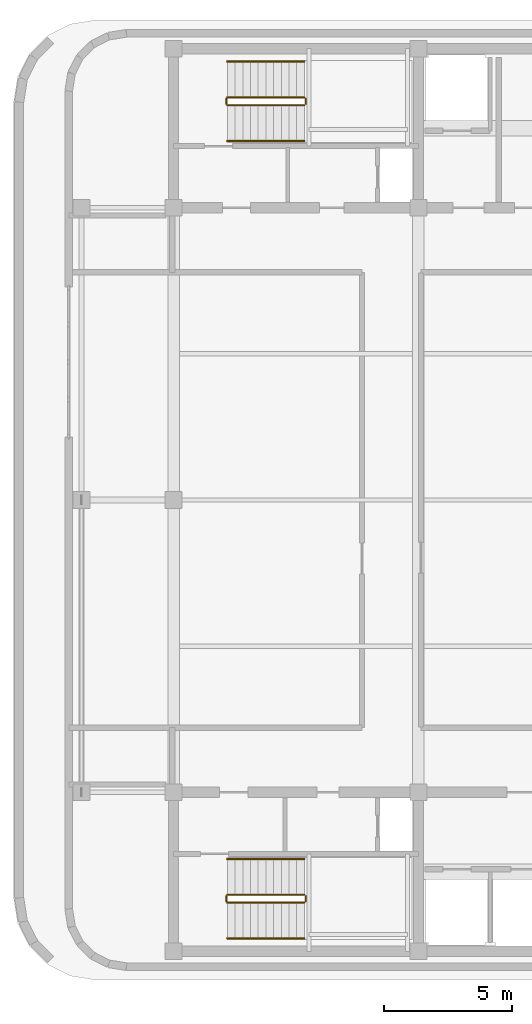
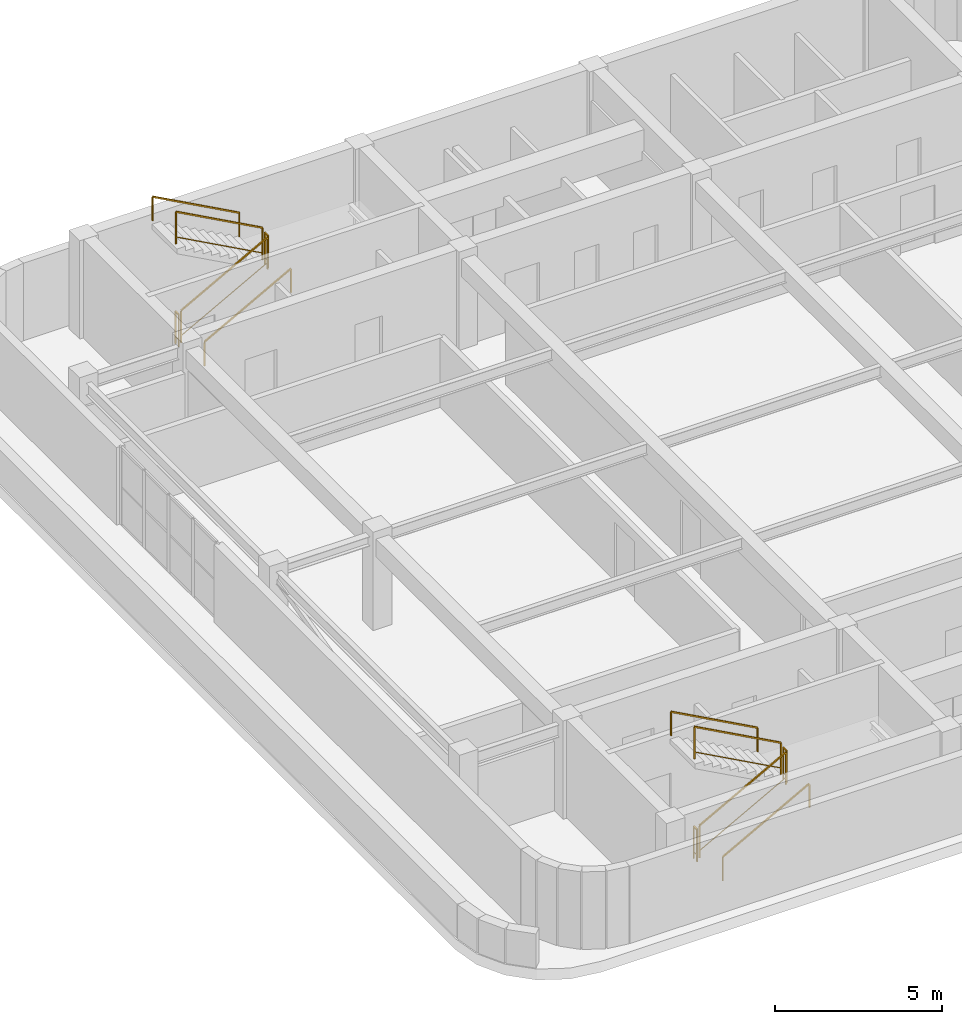
# One storey, part 9 of 9: 12 railings.
"""IFC4 building model written with IfcOpenShell, lengths in metres."""

from ifc_helpers import new_model, si_unit, direction, frame, origin, origin_2d, place, context, subcontext, project, spatial, rectangle, extrude, material, type_object, element, save


model = new_model("IFC4")

# Units and contexts
model_context = context("Model", 3, precision=1e-05, world=origin(), true_north=direction((0.0, 1.0)))
body_context = subcontext(model_context, "Body", "Model", "MODEL_VIEW")
ifc_project = project(units=[si_unit("LENGTHUNIT", "METRE"), si_unit("AREAUNIT", "SQUARE_METRE"), si_unit("VOLUMEUNIT", "CUBIC_METRE"), si_unit("PLANEANGLEUNIT", "RADIAN"), si_unit("MASSUNIT", "GRAM", prefix="KILO")], contexts=[model_context])

# Site, building, storey
site_placement = place(None, origin())
site = spatial("IfcSite", under=ifc_project, at=site_placement, CompositionType="ELEMENT")
building_placement = place(site_placement, origin())
building = spatial("IfcBuilding", under=site, at=building_placement, Name="Svetorya Sky Lyceum", CompositionType="ELEMENT")
storey_placement = place(building_placement, frame((0.0, 0.0, 302.0)))
storey = spatial("IfcBuildingStorey", under=building, at=storey_placement, Name="C01", CompositionType="ELEMENT", Elevation=302.0)

# Railings
ifc_material_1 = material(Name="Painted galvanized stair well guard")
railing_type_1 = type_object("IfcRailingType", Name="RL-STR-GUARD-1200", PredefinedType="GUARDRAIL", material=ifc_material_1)
railing_1_placement = place(storey_placement, frame((27.699951171875, 12.5, 0.16357421875)))
element("IfcRailing", 1, at=railing_1_placement, inside=storey, type_object=railing_type_1, Name="C01 ST-S stair guard 1", PredefinedType="GUARDRAIL", context=body_context, shape_type="SweptSolid", body=[
    extrude(rectangle(XDim=0.048095703125, YDim=0.048095703125, at=origin_2d()), frame((0.0, 0.0, 1.17578125), z_axis=(0.877881921179, 0.0, 0.478877158013), x_axis=(0.0, 1.0, 0.0)), (0.0, 0.0, 1.0), 3.417236328125),
    extrude(rectangle(XDim=0.02392578125, YDim=0.02392578125, at=origin_2d()), frame((0.0, 0.0, 0.25), z_axis=(0.877881921179, 0.0, 0.478877158013), x_axis=(0.0, 1.0, 0.0)), (0.0, 0.0, 1.0), 3.417236328125),
    extrude(rectangle(XDim=0.0419921875, YDim=0.0419921875, at=origin_2d()), origin(), (0.0, 0.0, 1.0), 1.15185546875),
    extrude(rectangle(XDim=0.0419921875, YDim=0.0419921875, at=origin_2d()), frame((3.0, 0.0, 1.636474609375)), (0.0, 0.0, 1.0), 1.15185546875),
])
railing_2_placement = place(storey_placement, frame((30.75, 12.550048828125, 1.800048828125)))
element("IfcRailing", 2, at=railing_2_placement, inside=storey, type_object=railing_type_1, Name="C01 ST-S stair guard 2", PredefinedType="GUARDRAIL", context=body_context, shape_type="SweptSolid", body=[
    extrude(rectangle(XDim=0.048095703125, YDim=0.048095703125, at=origin_2d()), frame((0.0, 0.0, 1.17578125), z_axis=(0.0, 1.0, 0.0), x_axis=(-1.0, 0.0, 0.0)), (0.0, 0.0, 1.0), 0.199951171875),
    extrude(rectangle(XDim=0.02392578125, YDim=0.02392578125, at=origin_2d()), frame((0.0, 0.0, 0.25), z_axis=(0.0, 1.0, 0.0), x_axis=(-1.0, 0.0, 0.0)), (0.0, 0.0, 1.0), 0.199951171875),
    extrude(rectangle(XDim=0.0419921875, YDim=0.0419921875, at=origin_2d()), origin(), (0.0, 0.0, 1.0), 1.15185546875),
    extrude(rectangle(XDim=0.0419921875, YDim=0.0419921875, at=origin_2d()), frame((0.0, 0.199951171875, 0.0)), (0.0, 0.0, 1.0), 1.15185546875),
])
railing_3_placement = place(storey_placement, frame((30.699951171875, 12.800048828125, 1.963623046875)))
element("IfcRailing", 3, at=railing_3_placement, inside=storey, type_object=railing_type_1, Name="C01 ST-S stair guard 3", PredefinedType="GUARDRAIL", context=body_context, shape_type="SweptSolid", body=[
    extrude(rectangle(XDim=0.048095703125, YDim=0.048095703125, at=origin_2d()), frame((0.0, 0.0, 1.17578125), z_axis=(-0.877881921179, 0.0, 0.478877158013), x_axis=(0.0, -1.0, 0.0)), (0.0, 0.0, 1.0), 3.417236328125),
    extrude(rectangle(XDim=0.02392578125, YDim=0.02392578125, at=origin_2d()), frame((0.0, 0.0, 0.25), z_axis=(-0.877881921179, 0.0, 0.478877158013), x_axis=(0.0, -1.0, 0.0)), (0.0, 0.0, 1.0), 3.417236328125),
    extrude(rectangle(XDim=0.0419921875, YDim=0.0419921875, at=origin_2d()), origin(), (0.0, 0.0, 1.0), 1.15185546875),
    extrude(rectangle(XDim=0.0419921875, YDim=0.0419921875, at=origin_2d()), frame((-3.0, 0.0, 1.636474609375)), (0.0, 0.0, 1.0), 1.15185546875),
])
railing_4_placement = place(storey_placement, frame((27.64990234375, 12.550048828125, 0.0)))
element("IfcRailing", 4, at=railing_4_placement, inside=storey, type_object=railing_type_1, Name="C01 ST-S stair guard 4", PredefinedType="GUARDRAIL", context=body_context, shape_type="SweptSolid", body=[
    extrude(rectangle(XDim=0.048095703125, YDim=0.048095703125, at=origin_2d()), frame((0.0, 0.0, 1.17578125), z_axis=(0.0, 1.0, 0.0), x_axis=(-1.0, 0.0, 0.0)), (0.0, 0.0, 1.0), 0.199951171875),
    extrude(rectangle(XDim=0.02392578125, YDim=0.02392578125, at=origin_2d()), frame((0.0, 0.0, 0.25), z_axis=(0.0, 1.0, 0.0), x_axis=(-1.0, 0.0, 0.0)), (0.0, 0.0, 1.0), 0.199951171875),
    extrude(rectangle(XDim=0.0419921875, YDim=0.0419921875, at=origin_2d()), origin(), (0.0, 0.0, 1.0), 1.15185546875),
    extrude(rectangle(XDim=0.0419921875, YDim=0.0419921875, at=origin_2d()), frame((0.0, 0.199951171875, 0.0)), (0.0, 0.0, 1.0), 1.15185546875),
])
railing_5_placement = place(storey_placement, frame((27.699951171875, 43.60009765625, 0.16357421875)))
element("IfcRailing", 5, at=railing_5_placement, inside=storey, type_object=railing_type_1, Name="C01 ST-N stair guard 1", PredefinedType="GUARDRAIL", context=body_context, shape_type="SweptSolid", body=[
    extrude(rectangle(XDim=0.048095703125, YDim=0.048095703125, at=origin_2d()), frame((0.0, 0.0, 1.17578125), z_axis=(0.877881921179, 0.0, 0.478877158013), x_axis=(0.0, 1.0, 0.0)), (0.0, 0.0, 1.0), 3.417236328125),
    extrude(rectangle(XDim=0.02392578125, YDim=0.02392578125, at=origin_2d()), frame((0.0, 0.0, 0.25), z_axis=(0.877881921179, 0.0, 0.478877158013), x_axis=(0.0, 1.0, 0.0)), (0.0, 0.0, 1.0), 3.417236328125),
    extrude(rectangle(XDim=0.0419921875, YDim=0.0419921875, at=origin_2d()), origin(), (0.0, 0.0, 1.0), 1.15185546875),
    extrude(rectangle(XDim=0.0419921875, YDim=0.0419921875, at=origin_2d()), frame((3.0, 0.0, 1.636474609375)), (0.0, 0.0, 1.0), 1.15185546875),
])
railing_6_placement = place(storey_placement, frame((30.75, 43.64990234375, 1.800048828125)))
element("IfcRailing", 6, at=railing_6_placement, inside=storey, type_object=railing_type_1, Name="C01 ST-N stair guard 2", PredefinedType="GUARDRAIL", context=body_context, shape_type="SweptSolid", body=[
    extrude(rectangle(XDim=0.048095703125, YDim=0.048095703125, at=origin_2d()), frame((0.0, 0.0, 1.17578125), z_axis=(0.0, 1.0, 0.0), x_axis=(-1.0, 0.0, 0.0)), (0.0, 0.0, 1.0), 0.2001953125),
    extrude(rectangle(XDim=0.02392578125, YDim=0.02392578125, at=origin_2d()), frame((0.0, 0.0, 0.25), z_axis=(0.0, 1.0, 0.0), x_axis=(-1.0, 0.0, 0.0)), (0.0, 0.0, 1.0), 0.2001953125),
    extrude(rectangle(XDim=0.0419921875, YDim=0.0419921875, at=origin_2d()), origin(), (0.0, 0.0, 1.0), 1.15185546875),
    extrude(rectangle(XDim=0.0419921875, YDim=0.0419921875, at=origin_2d()), frame((0.0, 0.2001953125, 0.0)), (0.0, 0.0, 1.0), 1.15185546875),
])
railing_7_placement = place(storey_placement, frame((30.699951171875, 43.89990234375, 1.963623046875)))
element("IfcRailing", 7, at=railing_7_placement, inside=storey, type_object=railing_type_1, Name="C01 ST-N stair guard 3", PredefinedType="GUARDRAIL", context=body_context, shape_type="SweptSolid", body=[
    extrude(rectangle(XDim=0.048095703125, YDim=0.048095703125, at=origin_2d()), frame((0.0, 0.0, 1.17578125), z_axis=(-0.877881921179, 0.0, 0.478877158013), x_axis=(0.0, -1.0, 0.0)), (0.0, 0.0, 1.0), 3.417236328125),
    extrude(rectangle(XDim=0.02392578125, YDim=0.02392578125, at=origin_2d()), frame((0.0, 0.0, 0.25), z_axis=(-0.877881921179, 0.0, 0.478877158013), x_axis=(0.0, -1.0, 0.0)), (0.0, 0.0, 1.0), 3.417236328125),
    extrude(rectangle(XDim=0.0419921875, YDim=0.0419921875, at=origin_2d()), origin(), (0.0, 0.0, 1.0), 1.15185546875),
    extrude(rectangle(XDim=0.0419921875, YDim=0.0419921875, at=origin_2d()), frame((-3.0, 0.0, 1.636474609375)), (0.0, 0.0, 1.0), 1.15185546875),
])
railing_8_placement = place(storey_placement, frame((27.64990234375, 43.64990234375, 0.0)))
element("IfcRailing", 8, at=railing_8_placement, inside=storey, type_object=railing_type_1, Name="C01 ST-N stair guard 4", PredefinedType="GUARDRAIL", context=body_context, shape_type="SweptSolid", body=[
    extrude(rectangle(XDim=0.048095703125, YDim=0.048095703125, at=origin_2d()), frame((0.0, 0.0, 1.17578125), z_axis=(0.0, 1.0, 0.0), x_axis=(-1.0, 0.0, 0.0)), (0.0, 0.0, 1.0), 0.2001953125),
    extrude(rectangle(XDim=0.02392578125, YDim=0.02392578125, at=origin_2d()), frame((0.0, 0.0, 0.25), z_axis=(0.0, 1.0, 0.0), x_axis=(-1.0, 0.0, 0.0)), (0.0, 0.0, 1.0), 0.2001953125),
    extrude(rectangle(XDim=0.0419921875, YDim=0.0419921875, at=origin_2d()), origin(), (0.0, 0.0, 1.0), 1.15185546875),
    extrude(rectangle(XDim=0.0419921875, YDim=0.0419921875, at=origin_2d()), frame((0.0, 0.2001953125, 0.0)), (0.0, 0.0, 1.0), 1.15185546875),
])
ifc_material_2 = material(Name="Brushed stainless AISI 304 stair handrail")
railing_type_2 = type_object("IfcRailingType", Name="RL-STR-HAND-920", PredefinedType="HANDRAIL", material=ifc_material_2)
railing_9_placement = place(storey_placement, frame((27.699951171875, 11.10009765625, 0.16357421875)))
element("IfcRailing", 9, at=railing_9_placement, inside=storey, type_object=railing_type_2, Name="C01 ST-S stair handrail 1", PredefinedType="HANDRAIL", context=body_context, shape_type="SweptSolid", body=[
    extrude(rectangle(XDim=0.048095703125, YDim=0.048095703125, at=origin_2d()), frame((0.0, 0.0, 0.8759765625), z_axis=(0.877881921179, 0.0, 0.478877158013), x_axis=(0.0, 1.0, 0.0)), (0.0, 0.0, 1.0), 3.417236328125),
    extrude(rectangle(XDim=0.0419921875, YDim=0.0419921875, at=origin_2d()), origin(), (0.0, 0.0, 1.0), 0.851806640625),
    extrude(rectangle(XDim=0.0419921875, YDim=0.0419921875, at=origin_2d()), frame((3.0, 0.0, 1.636474609375)), (0.0, 0.0, 1.0), 0.851806640625),
])
railing_10_placement = place(storey_placement, frame((30.699951171875, 14.199951171875, 1.963623046875)))
element("IfcRailing", 10, at=railing_10_placement, inside=storey, type_object=railing_type_2, Name="C01 ST-S stair handrail 2", PredefinedType="HANDRAIL", context=body_context, shape_type="SweptSolid", body=[
    extrude(rectangle(XDim=0.048095703125, YDim=0.048095703125, at=origin_2d()), frame((0.0, 0.0, 0.8759765625), z_axis=(-0.877881921179, 0.0, 0.478877158013), x_axis=(0.0, -1.0, 0.0)), (0.0, 0.0, 1.0), 3.417236328125),
    extrude(rectangle(XDim=0.0419921875, YDim=0.0419921875, at=origin_2d()), origin(), (0.0, 0.0, 1.0), 0.851806640625),
    extrude(rectangle(XDim=0.0419921875, YDim=0.0419921875, at=origin_2d()), frame((-3.0, 0.0, 1.636474609375)), (0.0, 0.0, 1.0), 0.851806640625),
])
railing_11_placement = place(storey_placement, frame((27.699951171875, 42.199951171875, 0.16357421875)))
element("IfcRailing", 11, at=railing_11_placement, inside=storey, type_object=railing_type_2, Name="C01 ST-N stair handrail 1", PredefinedType="HANDRAIL", context=body_context, shape_type="SweptSolid", body=[
    extrude(rectangle(XDim=0.048095703125, YDim=0.048095703125, at=origin_2d()), frame((0.0, 0.0, 0.8759765625), z_axis=(0.877881921179, 0.0, 0.478877158013), x_axis=(0.0, 1.0, 0.0)), (0.0, 0.0, 1.0), 3.417236328125),
    extrude(rectangle(XDim=0.0419921875, YDim=0.0419921875, at=origin_2d()), origin(), (0.0, 0.0, 1.0), 0.851806640625),
    extrude(rectangle(XDim=0.0419921875, YDim=0.0419921875, at=origin_2d()), frame((3.0, 0.0, 1.636474609375)), (0.0, 0.0, 1.0), 0.851806640625),
])
railing_12_placement = place(storey_placement, frame((30.699951171875, 45.300048828125, 1.963623046875)))
element("IfcRailing", 12, at=railing_12_placement, inside=storey, type_object=railing_type_2, Name="C01 ST-N stair handrail 2", PredefinedType="HANDRAIL", context=body_context, shape_type="SweptSolid", body=[
    extrude(rectangle(XDim=0.048095703125, YDim=0.048095703125, at=origin_2d()), frame((0.0, 0.0, 0.8759765625), z_axis=(-0.877881921179, 0.0, 0.478877158013), x_axis=(0.0, -1.0, 0.0)), (0.0, 0.0, 1.0), 3.417236328125),
    extrude(rectangle(XDim=0.0419921875, YDim=0.0419921875, at=origin_2d()), origin(), (0.0, 0.0, 1.0), 0.851806640625),
    extrude(rectangle(XDim=0.0419921875, YDim=0.0419921875, at=origin_2d()), frame((-3.0, 0.0, 1.636474609375)), (0.0, 0.0, 1.0), 0.851806640625),
])

save(model, "model.ifc")
